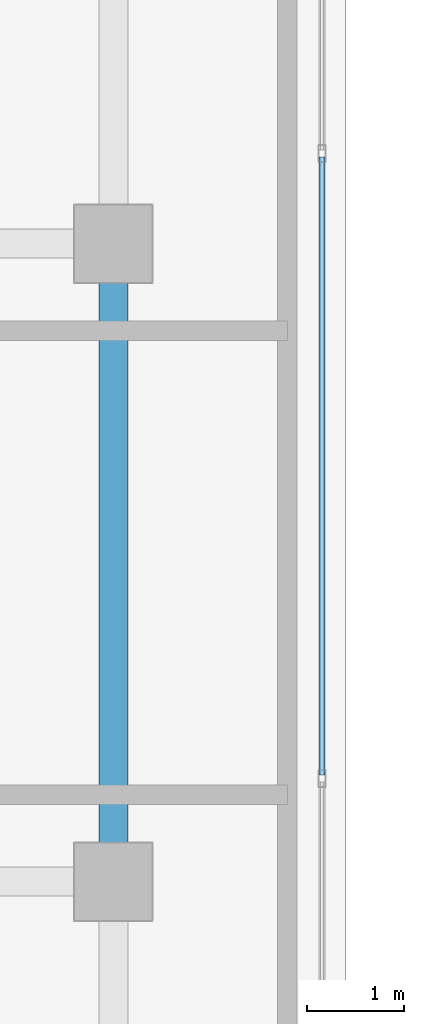
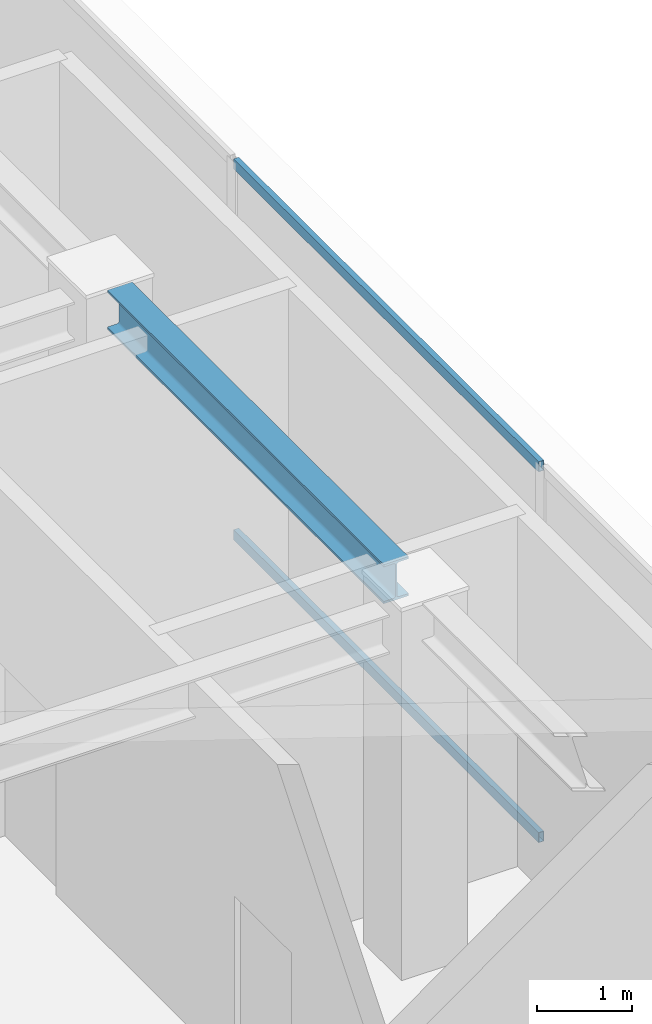
# One storey, part 13 of 22: 2 members, 1 beam, 1 element without a shape of its own.
"""IFC4 building model written with IfcOpenShell, lengths in metres."""

from ifc_helpers import new_model, si_unit, direction, frame, origin, origin_with_axes, origin_2d, place, context, subcontext, project, spatial, hollow_rectangle, i_section, extrude, source, transform, mapped, material, layer, layer_set, material_profile, profile_set, type_object, element, aggregate, save


model = new_model("IFC4")

# Units and contexts
model_context = context("Model", 3, precision=1e-05, world=origin(), true_north=direction((0.0, 1.0)))
body_context = subcontext(model_context, "Body", "Model", "MODEL_VIEW")
ifc_project = project(units=[si_unit("LENGTHUNIT", "METRE"), si_unit("AREAUNIT", "SQUARE_METRE"), si_unit("VOLUMEUNIT", "CUBIC_METRE"), si_unit("PLANEANGLEUNIT", "RADIAN"), si_unit("MASSUNIT", "GRAM", prefix="KILO")], contexts=[model_context])

# Site, building, storey
site_placement = place(None, origin())
site = spatial("IfcSite", under=ifc_project, at=site_placement, CompositionType="ELEMENT")
building_placement = place(site_placement, origin())
building = spatial("IfcBuilding", under=site, at=building_placement, Name="Kolvaren Waterfront Exchange", CompositionType="ELEMENT")
storey_placement = place(building_placement, frame((0.0, 0.0, 360.39990234375)))
storey = spatial("IfcBuildingStorey", under=building, at=storey_placement, Name="RF", CompositionType="ELEMENT", Elevation=360.39990234375)

# Beam
ifc_material_1 = material(Name="Steel S355", Category="steel")
ifc_material_profile_1 = material_profile(ifc_material_1, i_section(OverallWidth=0.300048828125, OverallDepth=0.5, WebThickness=0.014404296875, FlangeThickness=0.028076171875, FilletRadius=0.027099609375, at=origin_2d()), Name="HEB500")
ifc_profile_set_1 = profile_set([ifc_material_profile_1], Name="Steel S355")
beam_type = type_object("IfcBeamType", Name="STR-BM-HEB500", PredefinedType="BEAM", material=ifc_profile_set_1)
beam_placement = place(storey_placement, frame((18.800048828125, 31.60205078125, 4.49853515625), z_axis=(0.0, 1.0, 0.0), x_axis=(-1.0, 0.0, 0.0)))
element("IfcBeam", 1, at=beam_placement, inside=storey, type_object=beam_type, Name="RF crown roof girder 16", PredefinedType="SPANDREL", context=body_context, shape_type="SweptSolid", body=[
    extrude(i_section(OverallWidth=0.300048828125, OverallDepth=0.5, WebThickness=0.014404296875, FlangeThickness=0.028076171875, FilletRadius=0.027099609375, at=origin_2d()), origin(), (0.0, 0.0, 1.0), 5.7958984375),
])

# Curtain wall, members
ifc_material_2 = material(Name="Anodised bronze aluminium 6063-T6", Category="aluminium")
ifc_layer = layer(ifc_material_2, 0.219970703125, Name="Anodised bronze aluminium 6063-T6")
ifc_layer_set = layer_set([ifc_layer], Name="Anodised bronze aluminium 6063-T6")
curtain_wall_type = type_object("IfcCurtainWallType", Name="ARC-CW-SYS5", PredefinedType="USERDEFINED", material=ifc_layer_set)
curtain_wall_placement = place(storey_placement, origin())
curtain_wall = element("IfcCurtainWall", 2, at=curtain_wall_placement, inside=storey, type_object=curtain_wall_type, Name="RF stick curtain wall CW5 (CW-RF-NE)", ObjectType="STICK CURTAIN WALL", PredefinedType="USERDEFINED")
ifc_material_profile_2 = material_profile(ifc_material_2, hollow_rectangle(XDim=0.06494140625, YDim=0.1298828125, WallThickness=0.00390625, at=origin_2d()), Name="ALU-TRN-130x65x4")
ifc_profile_set_2 = profile_set([ifc_material_profile_2], Name="Anodised bronze aluminium 6063-T6")
member_type = type_object("IfcMemberType", Name="ARC-CWT-130", PredefinedType="USERDEFINED", material=ifc_profile_set_2)
shared_shape = source(origin_with_axes(), body_context, "Body", "SweptSolid", [
    extrude(hollow_rectangle(XDim=0.06494140625, YDim=0.1298828125, WallThickness=0.00390625, at=origin_2d()), origin(), (0.0, 0.0, 1.0), 6.3916015625),
])
member_1_placement = place(storey_placement, frame((20.9599609375, 32.30419921875, 0.03271484375), z_axis=(0.0, 1.0, 0.0), x_axis=(-1.0, 0.0, 0.0)))
member_1 = element("IfcMember", 3, at=member_1_placement, type_object=member_type, Name="CW5 transom 2.1", ObjectType="TRANSOM", PredefinedType="USERDEFINED", context=body_context, shape_type="MappedRepresentation", body=[
    mapped(shared_shape, transform((0.0, 0.0, 0.0), x_axis=(1.0, 0.0, 0.0), y_axis=(0.0, 1.0, 0.0), z_axis=(0.0, 0.0, 1.0), scale=1.0)),
])
member_2_placement = place(storey_placement, frame((20.9599609375, 32.30419921875, 4.777587890625), z_axis=(0.0, 1.0, 0.0), x_axis=(-1.0, 0.0, 0.0)))
member_2 = element("IfcMember", 4, at=member_2_placement, type_object=member_type, Name="CW5 transom 2.2", ObjectType="TRANSOM", PredefinedType="USERDEFINED", context=body_context, shape_type="MappedRepresentation", body=[
    mapped(shared_shape, transform((0.0, 0.0, 0.0), x_axis=(1.0, 0.0, 0.0), y_axis=(0.0, 1.0, 0.0), z_axis=(0.0, 0.0, 1.0), scale=1.0)),
])
aggregate(curtain_wall, [member_1, member_2])

save(model, "model.ifc")
